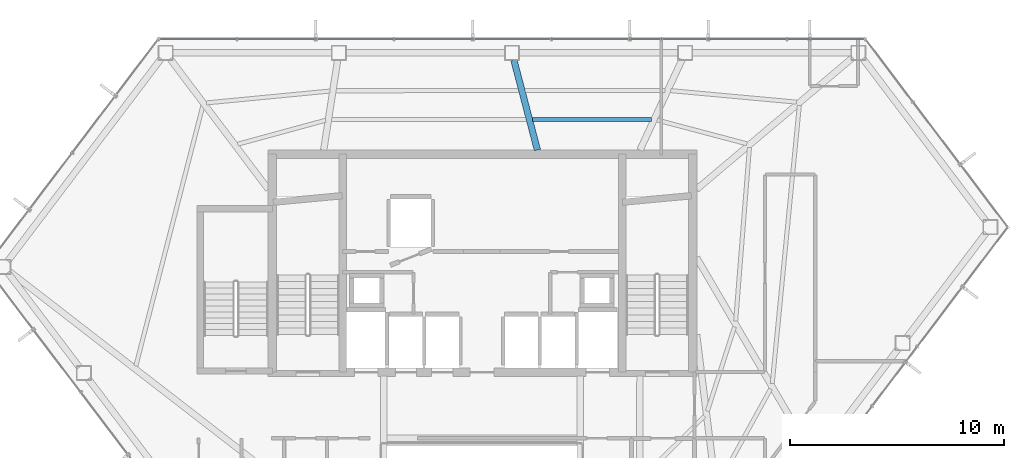
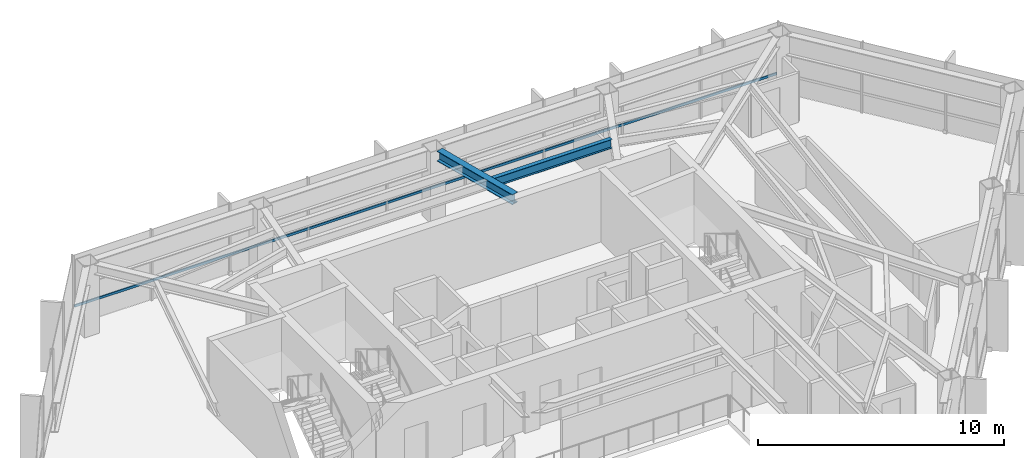
# One storey, part 15 of 28: 2 beams, 1 member, 1 element without a shape of its own.
"""IFC4 building model written with IfcOpenShell, lengths in metres."""

from ifc_helpers import new_model, si_unit, direction, frame, origin, origin_2d, place, context, subcontext, project, spatial, hollow_rectangle, i_section, extrude, material, layer, layer_set, material_profile, profile_set, type_object, element, aggregate, save


model = new_model("IFC4")

# Units and contexts
model_context = context("Model", 3, precision=1e-05, world=origin(), true_north=direction((0.0, 1.0)))
body_context = subcontext(model_context, "Body", "Model", "MODEL_VIEW")
ifc_project = project(units=[si_unit("LENGTHUNIT", "METRE"), si_unit("AREAUNIT", "SQUARE_METRE"), si_unit("VOLUMEUNIT", "CUBIC_METRE"), si_unit("PLANEANGLEUNIT", "RADIAN"), si_unit("MASSUNIT", "GRAM", prefix="KILO")], contexts=[model_context])

# Site, building, storey
site_placement = place(None, origin())
site = spatial("IfcSite", under=ifc_project, at=site_placement, CompositionType="ELEMENT")
building_placement = place(site_placement, origin())
building = spatial("IfcBuilding", under=site, at=building_placement, Name="Zarrinselat Tower", CompositionType="ELEMENT")
storey_placement = place(building_placement, frame((0.0, 0.0, 168.300048828125)))
storey = spatial("IfcBuildingStorey", under=building, at=storey_placement, Name="L41", CompositionType="ELEMENT", Elevation=168.300048828125)

# Beams
ifc_material_1 = material(Name="Steel S355J2", Category="steel")
ifc_material_profile_1 = material_profile(ifc_material_1, i_section(OverallWidth=0.300048828125, OverallDepth=0.5, WebThickness=0.014404296875, FlangeThickness=0.028076171875, at=origin_2d()), Name="HEB 500")
ifc_profile_set_1 = profile_set([ifc_material_profile_1], Name="Steel S355J2")
beam_type_1 = type_object("IfcBeamType", Name="BM-HEB500", PredefinedType="BEAM", material=ifc_profile_set_1)
beam_1_placement = place(storey_placement, frame((39.900146484375, 47.848388671875, 3.25), z_axis=(0.252849128037, -0.967505720113, 0.0), x_axis=(0.967505720113, 0.252849128037, 0.0)))
element("IfcBeam", 1, at=beam_1_placement, inside=storey, type_object=beam_type_1, Name="L41 Radial Primary Girder RG03", PredefinedType="BEAM", context=body_context, shape_type="SweptSolid", body=[
    extrude(i_section(OverallWidth=0.300048828125, OverallDepth=0.5, WebThickness=0.014404296875, FlangeThickness=0.028076171875, at=origin_2d()), origin(), (0.0, 0.0, 1.0), 4.349853515625),
])
ifc_material_2 = material(Name="Steel S355J2", Category="steel")
ifc_material_profile_2 = material_profile(ifc_material_2, i_section(OverallWidth=0.18994140625, OverallDepth=0.449951171875, WebThickness=0.009521484375, FlangeThickness=0.0146484375, at=origin_2d()), Name="IPE 450")
ifc_profile_set_2 = profile_set([ifc_material_profile_2], Name="Steel S355J2")
beam_type_2 = type_object("IfcBeamType", Name="BM-IPE450", PredefinedType="JOIST", material=ifc_profile_set_2)
beam_2_placement = place(storey_placement, frame((40.76611328125, 45.071044921875, 3.27490234375), z_axis=(0.999999245062, 0.001228769863, 0.0), x_axis=(-0.001228769863, 0.999999245062, 0.0)))
element("IfcBeam", 2, at=beam_2_placement, inside=storey, type_object=beam_type_2, Name="L41 Composite Floor Joist 7-2", PredefinedType="JOIST", context=body_context, shape_type="SweptSolid", body=[
    extrude(i_section(OverallWidth=0.18994140625, OverallDepth=0.449951171875, WebThickness=0.009521484375, FlangeThickness=0.0146484375, at=origin_2d()), origin(), (0.0, 0.0, 1.0), 5.563232421875),
])

# Curtain wall, member
ifc_material_3 = material(Name="Extruded Aluminium Alloy EN AW-6063 T6", Category="aluminium")
ifc_layer = layer(ifc_material_3, 0.175048828125)
ifc_layer_set = layer_set([ifc_layer], Name="Extruded Aluminium Alloy EN AW-6063 T6")
curtain_wall_type = type_object("IfcCurtainWallType", Name="CWS-HTL", PredefinedType="NOTDEFINED", material=ifc_layer_set)
curtain_wall_placement = place(storey_placement, origin())
curtain_wall = element("IfcCurtainWall", 3, at=curtain_wall_placement, inside=storey, type_object=curtain_wall_type, Name="L41 Unitised Curtain Wall CW-L41-E01", PredefinedType="NOTDEFINED")
ifc_material_4 = material(Name="Extruded Aluminium Alloy EN AW-6063 T6", Category="aluminium")
ifc_material_profile_3 = material_profile(ifc_material_4, hollow_rectangle(XDim=0.06005859375, YDim=0.1201171875, WallThickness=0.00390625, at=origin_2d()), Name="RHS 120x60x4")
ifc_profile_set_3 = profile_set([ifc_material_profile_3], Name="Extruded Aluminium Alloy EN AW-6063 T6")
member_type = type_object("IfcMemberType", Name="MEM-CW-TRN2", PredefinedType="USERDEFINED", material=ifc_profile_set_3)
member_placement = place(storey_placement, frame((56.256591796875, 48.8388671875, 0.949951171875), z_axis=(-1.0, 0.0, 0.0), x_axis=(0.0, -1.0, 0.0)))
member = element("IfcMember", 4, at=member_placement, type_object=member_type, Name="CW-L41-E01 Transom 1", ObjectType="TRANSOM", PredefinedType="USERDEFINED", context=body_context, shape_type="SweptSolid", body=[
    extrude(hollow_rectangle(XDim=0.06005859375, YDim=0.1201171875, WallThickness=0.00390625, at=origin_2d()), origin(), (0.0, 0.0, 1.0), 32.89111328125),
])
aggregate(curtain_wall, [member])

save(model, "model.ifc")
